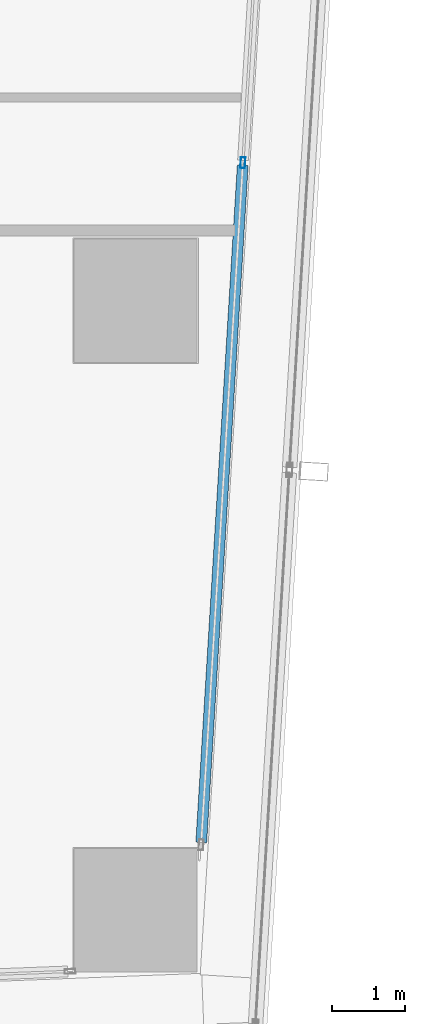
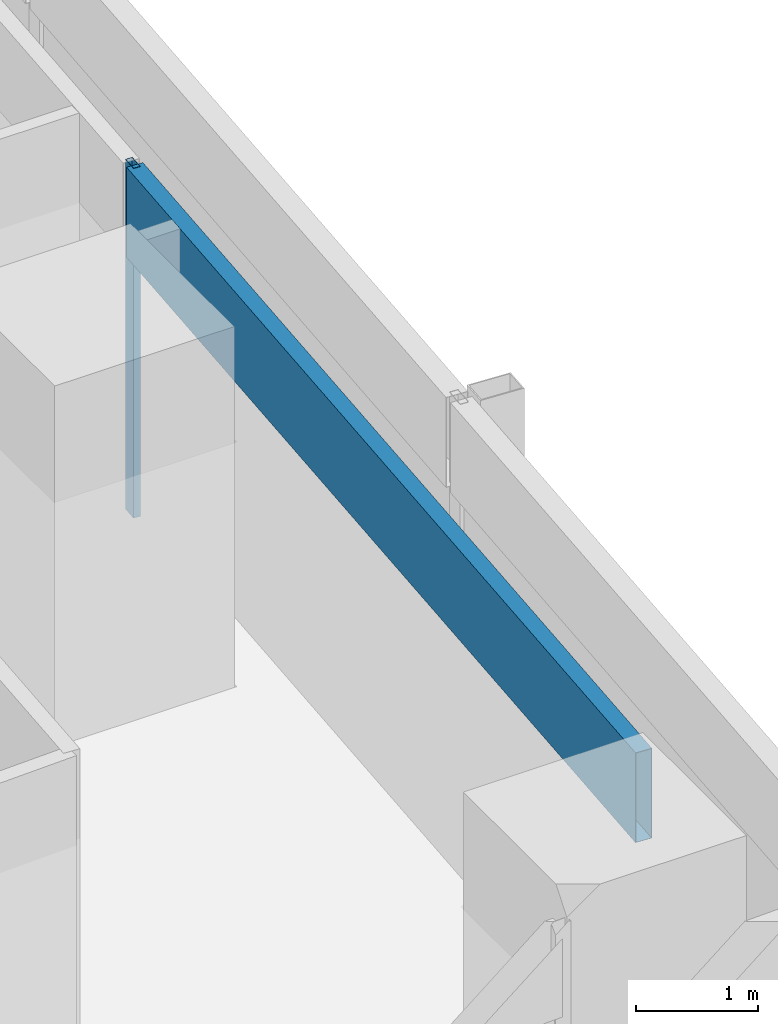
# One storey, part 13 of 40: 2 members, 1 element without a shape of its own.
"""IFC4 building model written with IfcOpenShell, lengths in metres."""

from ifc_helpers import new_model, si_unit, direction, frame, origin, origin_2d, place, context, subcontext, project, spatial, hollow_rectangle, extrude, material, material_profile, profile_set, type_object, element, aggregate, save


model = new_model("IFC4")

# Units and contexts
model_context = context("Model", 3, precision=1e-05, world=origin(), true_north=direction((0.0, 1.0)))
body_context = subcontext(model_context, "Body", "Model", "MODEL_VIEW")
ifc_project = project(units=[si_unit("LENGTHUNIT", "METRE"), si_unit("AREAUNIT", "SQUARE_METRE"), si_unit("VOLUMEUNIT", "CUBIC_METRE"), si_unit("PLANEANGLEUNIT", "RADIAN"), si_unit("MASSUNIT", "GRAM", prefix="KILO")], contexts=[model_context])

# Site, building, storey
site_placement = place(None, origin())
site = spatial("IfcSite", under=ifc_project, at=site_placement, CompositionType="ELEMENT")
building_placement = place(site_placement, origin())
building = spatial("IfcBuilding", under=site, at=building_placement, Name="Rekha Terrace Tower", CompositionType="ELEMENT")
storey_placement = place(building_placement, frame((0.0, 0.0, 125.300048828125)))
storey = spatial("IfcBuildingStorey", under=building, at=storey_placement, Name="L31", CompositionType="ELEMENT", Elevation=125.300048828125)

# Curtain wall, members
ifc_material_1 = material(Name="Aluminium framing", Category="aluminium")
curtain_wall_type = type_object("IfcCurtainWallType", Name="CW1 double skin inner glazing", PredefinedType="USERDEFINED", material=ifc_material_1)
curtain_wall_placement = place(storey_placement, origin())
curtain_wall = element("IfcCurtainWall", 1, at=curtain_wall_placement, inside=storey, type_object=curtain_wall_type, Name="CW1 double skin inner glazing", ObjectType="DOUBLE SKIN INNER GLAZING", PredefinedType="USERDEFINED")
ifc_material_2 = material(Name="Aluminium mullion section", Category="aluminium")
ifc_material_profile_1 = material_profile(ifc_material_2, hollow_rectangle(XDim=0.06494140625, YDim=0.14990234375, WallThickness=0.00390625, at=origin_2d()), Name="AL RHS 65x150")
ifc_profile_set_1 = profile_set([ifc_material_profile_1], Name="Aluminium mullion section")
member_type_1 = type_object("IfcMemberType", Name="CW1 mullion RHS 65 x 150", PredefinedType="MULLION", material=ifc_profile_set_1)
member_1_placement = place(storey_placement, frame((68.679443359375, 27.101806640625, 0.0), z_axis=(0.0, 0.0, 1.0), x_axis=(-0.998127987024, 0.061159803131, 0.0)))
member_1 = element("IfcMember", 2, at=member_1_placement, type_object=member_type_1, Name="CW1 mullion 2", PredefinedType="MULLION", context=body_context, shape_type="SweptSolid", body=[
    extrude(hollow_rectangle(XDim=0.06494140625, YDim=0.14990234375, WallThickness=0.00390625, at=origin_2d()), origin(), (0.0, 0.0, 1.0), 3.5),
])
ifc_material_3 = material(Name="Insulated aluminium spandrel box", Category="aluminium")
ifc_material_profile_2 = material_profile(ifc_material_3, hollow_rectangle(XDim=0.14990234375, YDim=0.89990234375, WallThickness=0.0029296875, at=origin_2d()), Name="AL SPANDREL BOX 150x900")
ifc_profile_set_2 = profile_set([ifc_material_profile_2], Name="Insulated aluminium spandrel box")
member_type_2 = type_object("IfcMemberType", Name="CW1 spandrel transom 150 x 900", PredefinedType="USERDEFINED", material=ifc_profile_set_2)
member_2_placement = place(storey_placement, frame((68.10546875, 17.731689453125, 3.050048828125), z_axis=(0.061145082926, 0.998128888889, 0.0), x_axis=(-0.998128888889, 0.061145082926, 0.0)))
member_2 = element("IfcMember", 3, at=member_2_placement, type_object=member_type_2, Name="CW1 spandrel transom 1", ObjectType="TRANSOM", PredefinedType="USERDEFINED", context=body_context, shape_type="SweptSolid", body=[
    extrude(hollow_rectangle(XDim=0.14990234375, YDim=0.89990234375, WallThickness=0.0029296875, at=origin_2d()), origin(), (0.0, 0.0, 1.0), 9.355224609375),
])
aggregate(curtain_wall, [member_1, member_2])

save(model, "model.ifc")
